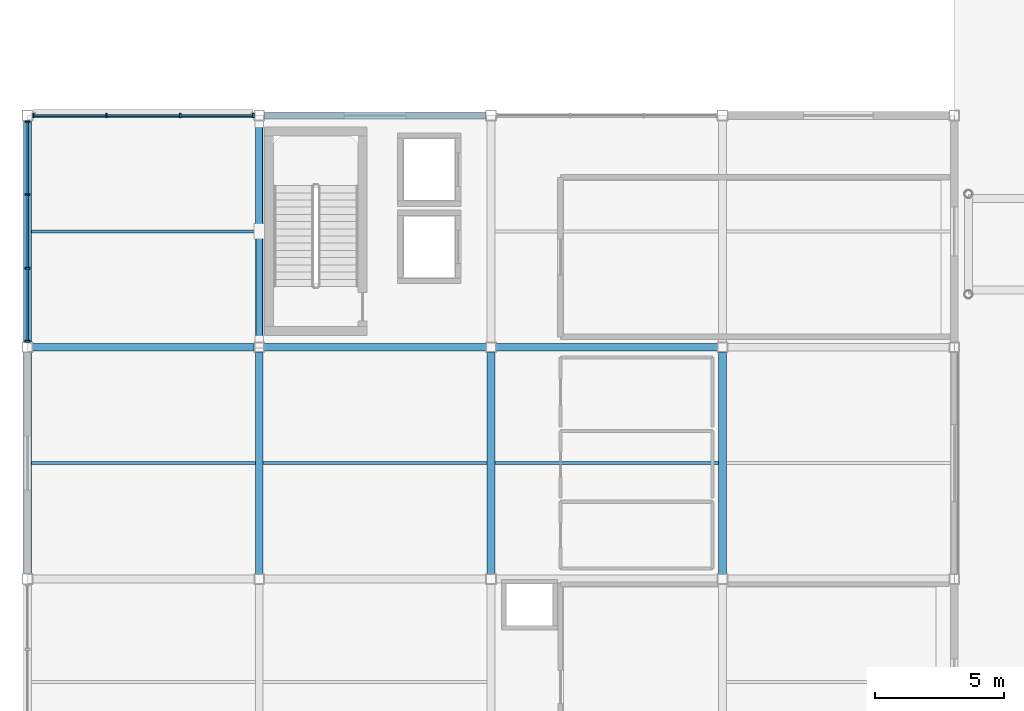
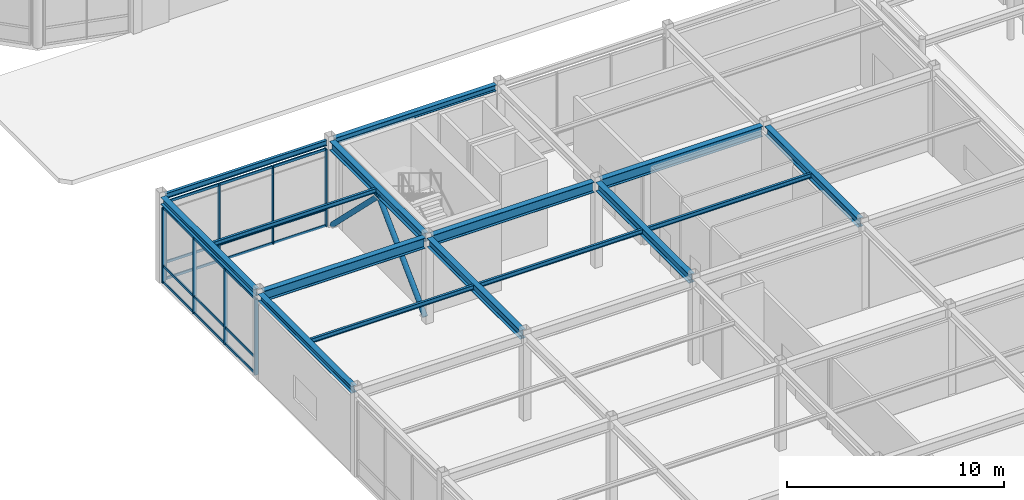
# One storey, part 32 of 123: 28 members, 15 beams, 2 elements without a shape of their own.
"""IFC4 building model written with IfcOpenShell, lengths in metres."""

from ifc_helpers import new_model, si_unit, direction, frame, origin, origin_2d, place, context, subcontext, project, spatial, rectangle, hollow_circle, i_section, extrude, material, material_profile, profile_set, type_object, element, aggregate, save


model = new_model("IFC4")

# Units and contexts
model_context = context("Model", 3, precision=1e-05, world=origin(), true_north=direction((0.0, 1.0)))
body_context = subcontext(model_context, "Body", "Model", "MODEL_VIEW")
ifc_project = project(units=[si_unit("LENGTHUNIT", "METRE"), si_unit("AREAUNIT", "SQUARE_METRE"), si_unit("VOLUMEUNIT", "CUBIC_METRE"), si_unit("PLANEANGLEUNIT", "RADIAN"), si_unit("MASSUNIT", "GRAM", prefix="KILO")], contexts=[model_context])

# Site, building, storey
site_placement = place(None, origin())
site = spatial("IfcSite", under=ifc_project, at=site_placement, CompositionType="ELEMENT")
building_placement = place(site_placement, origin())
building = spatial("IfcBuilding", under=site, at=building_placement, Name="Suzunagisa Mobility Hub", CompositionType="ELEMENT")
storey_placement = place(building_placement, origin())
storey = spatial("IfcBuildingStorey", under=building, at=storey_placement, Name="L00", CompositionType="ELEMENT", Elevation=0.0)

# Curtain wall, members
ifc_material_1 = material(Name="Thermally Broken Anodized Aluminum and Low-E Glazing", Category="aluminium")
curtain_wall_type_1 = type_object("IfcCurtainWallType", Name="Unitised Curtain Wall CW-47 8500x4400", PredefinedType="USERDEFINED", material=ifc_material_1)
curtain_wall_1_placement = place(storey_placement, origin())
curtain_wall_1 = element("IfcCurtainWall", 1, at=curtain_wall_1_placement, inside=storey, type_object=curtain_wall_type_1, Name="L00 Unitised Curtain Wall CW-6", ObjectType="UNITISED CURTAIN WALL", PredefinedType="USERDEFINED")
ifc_material_2 = material(Name="Anodized Aluminum 6063-T6", Category="aluminium")
ifc_material_profile_1 = material_profile(ifc_material_2, rectangle(XDim=0.06494140625, YDim=0.139892578125, at=origin_2d()), Name="TRAN-65x140")
ifc_profile_set_1 = profile_set([ifc_material_profile_1], Name="Anodized Aluminum 6063-T6")
member_type_1 = type_object("IfcMemberType", Name="Curtain Wall Framing CM-01 TRAN-65x140", PredefinedType="USERDEFINED", material=ifc_profile_set_1)
member_1_placement = place(storey_placement, frame((8.737060546875, 62.0, 0.032470703125), z_axis=(-1.0, 0.0, 0.0), x_axis=(0.0, -1.0, 0.0)))
member_1 = element("IfcMember", 2, at=member_1_placement, type_object=member_type_1, Name="Curtain Wall Transom 6-T1.1", ObjectType="TRANSOM", PredefinedType="USERDEFINED", context=body_context, shape_type="SweptSolid", body=[
    extrude(rectangle(XDim=0.06494140625, YDim=0.139892578125, at=origin_2d()), origin(), (0.0, 0.0, 1.0), 2.773193359375),
])
member_2_placement = place(storey_placement, frame((8.737060546875, 62.0, 0.949951171875), z_axis=(-1.0, 0.0, 0.0), x_axis=(0.0, -1.0, 0.0)))
member_2 = element("IfcMember", 3, at=member_2_placement, type_object=member_type_1, Name="Curtain Wall Transom 6-T1.2", ObjectType="TRANSOM", PredefinedType="USERDEFINED", context=body_context, shape_type="SweptSolid", body=[
    extrude(rectangle(XDim=0.06494140625, YDim=0.139892578125, at=origin_2d()), origin(), (0.0, 0.0, 1.0), 2.773193359375),
])
member_3_placement = place(storey_placement, frame((8.737060546875, 62.0, 4.32958984375), z_axis=(-1.0, 0.0, 0.0), x_axis=(0.0, -1.0, 0.0)))
member_3 = element("IfcMember", 4, at=member_3_placement, type_object=member_type_1, Name="Curtain Wall Transom 6-T1.3", ObjectType="TRANSOM", PredefinedType="USERDEFINED", context=body_context, shape_type="SweptSolid", body=[
    extrude(rectangle(XDim=0.06494140625, YDim=0.139892578125, at=origin_2d()), origin(), (0.0, 0.0, 1.0), 2.773193359375),
])
member_4_placement = place(storey_placement, frame((5.90283203125, 62.0, 0.032470703125), z_axis=(-1.0, 0.0, 0.0), x_axis=(0.0, -1.0, 0.0)))
member_4 = element("IfcMember", 5, at=member_4_placement, type_object=member_type_1, Name="Curtain Wall Transom 6-T2.1", ObjectType="TRANSOM", PredefinedType="USERDEFINED", context=body_context, shape_type="SweptSolid", body=[
    extrude(rectangle(XDim=0.06494140625, YDim=0.139892578125, at=origin_2d()), origin(), (0.0, 0.0, 1.0), 2.8056640625),
])
member_5_placement = place(storey_placement, frame((5.90283203125, 62.0, 0.949951171875), z_axis=(-1.0, 0.0, 0.0), x_axis=(0.0, -1.0, 0.0)))
member_5 = element("IfcMember", 6, at=member_5_placement, type_object=member_type_1, Name="Curtain Wall Transom 6-T2.2", ObjectType="TRANSOM", PredefinedType="USERDEFINED", context=body_context, shape_type="SweptSolid", body=[
    extrude(rectangle(XDim=0.06494140625, YDim=0.139892578125, at=origin_2d()), origin(), (0.0, 0.0, 1.0), 2.8056640625),
])
member_6_placement = place(storey_placement, frame((5.90283203125, 62.0, 4.32958984375), z_axis=(-1.0, 0.0, 0.0), x_axis=(0.0, -1.0, 0.0)))
member_6 = element("IfcMember", 7, at=member_6_placement, type_object=member_type_1, Name="Curtain Wall Transom 6-T2.3", ObjectType="TRANSOM", PredefinedType="USERDEFINED", context=body_context, shape_type="SweptSolid", body=[
    extrude(rectangle(XDim=0.06494140625, YDim=0.139892578125, at=origin_2d()), origin(), (0.0, 0.0, 1.0), 2.8056640625),
])
member_7_placement = place(storey_placement, frame((3.0361328125, 62.0, 0.032470703125), z_axis=(-1.0, 0.0, 0.0), x_axis=(0.0, -1.0, 0.0)))
member_7 = element("IfcMember", 8, at=member_7_placement, type_object=member_type_1, Name="Curtain Wall Transom 6-T3.1", ObjectType="TRANSOM", PredefinedType="USERDEFINED", context=body_context, shape_type="SweptSolid", body=[
    extrude(rectangle(XDim=0.06494140625, YDim=0.139892578125, at=origin_2d()), origin(), (0.0, 0.0, 1.0), 2.773193359375),
])
member_8_placement = place(storey_placement, frame((3.0361328125, 62.0, 0.949951171875), z_axis=(-1.0, 0.0, 0.0), x_axis=(0.0, -1.0, 0.0)))
member_8 = element("IfcMember", 9, at=member_8_placement, type_object=member_type_1, Name="Curtain Wall Transom 6-T3.2", ObjectType="TRANSOM", PredefinedType="USERDEFINED", context=body_context, shape_type="SweptSolid", body=[
    extrude(rectangle(XDim=0.06494140625, YDim=0.139892578125, at=origin_2d()), origin(), (0.0, 0.0, 1.0), 2.773193359375),
])
member_9_placement = place(storey_placement, frame((3.0361328125, 62.0, 4.32958984375), z_axis=(-1.0, 0.0, 0.0), x_axis=(0.0, -1.0, 0.0)))
member_9 = element("IfcMember", 10, at=member_9_placement, type_object=member_type_1, Name="Curtain Wall Transom 6-T3.3", ObjectType="TRANSOM", PredefinedType="USERDEFINED", context=body_context, shape_type="SweptSolid", body=[
    extrude(rectangle(XDim=0.06494140625, YDim=0.139892578125, at=origin_2d()), origin(), (0.0, 0.0, 1.0), 2.773193359375),
])

curtain_wall_type_2 = type_object("IfcCurtainWallType", Name="Unitised Curtain Wall CW-21 8500x4300", PredefinedType="USERDEFINED", material=ifc_material_1)
curtain_wall_2_placement = place(storey_placement, origin())
curtain_wall_2 = element("IfcCurtainWall", 11, at=curtain_wall_2_placement, inside=storey, type_object=curtain_wall_type_2, Name="L00 Unitised Curtain Wall CW-7", ObjectType="UNITISED CURTAIN WALL", PredefinedType="USERDEFINED")
member_10_placement = place(storey_placement, frame((0.0, 61.737060546875, 0.032470703125), z_axis=(0.0, -1.0, 0.0), x_axis=(1.0, 0.0, 0.0)))
member_10 = element("IfcMember", 12, at=member_10_placement, type_object=member_type_1, Name="Curtain Wall Transom 7-T1.1", ObjectType="TRANSOM", PredefinedType="USERDEFINED", context=body_context, shape_type="SweptSolid", body=[
    extrude(rectangle(XDim=0.06494140625, YDim=0.139892578125, at=origin_2d()), origin(), (0.0, 0.0, 1.0), 2.773193359375),
])
member_11_placement = place(storey_placement, frame((0.0, 61.737060546875, 0.949951171875), z_axis=(0.0, -1.0, 0.0), x_axis=(1.0, 0.0, 0.0)))
member_11 = element("IfcMember", 13, at=member_11_placement, type_object=member_type_1, Name="Curtain Wall Transom 7-T1.2", ObjectType="TRANSOM", PredefinedType="USERDEFINED", context=body_context, shape_type="SweptSolid", body=[
    extrude(rectangle(XDim=0.06494140625, YDim=0.139892578125, at=origin_2d()), origin(), (0.0, 0.0, 1.0), 2.773193359375),
])
member_12_placement = place(storey_placement, frame((0.0, 61.737060546875, 4.2294921875), z_axis=(0.0, -1.0, 0.0), x_axis=(1.0, 0.0, 0.0)))
member_12 = element("IfcMember", 14, at=member_12_placement, type_object=member_type_1, Name="Curtain Wall Transom 7-T1.3", ObjectType="TRANSOM", PredefinedType="USERDEFINED", context=body_context, shape_type="SweptSolid", body=[
    extrude(rectangle(XDim=0.06494140625, YDim=0.139892578125, at=origin_2d()), origin(), (0.0, 0.0, 1.0), 2.773193359375),
])
member_13_placement = place(storey_placement, frame((0.0, 58.90283203125, 0.032470703125), z_axis=(0.0, -1.0, 0.0), x_axis=(1.0, 0.0, 0.0)))
member_13 = element("IfcMember", 15, at=member_13_placement, type_object=member_type_1, Name="Curtain Wall Transom 7-T2.1", ObjectType="TRANSOM", PredefinedType="USERDEFINED", context=body_context, shape_type="SweptSolid", body=[
    extrude(rectangle(XDim=0.06494140625, YDim=0.139892578125, at=origin_2d()), origin(), (0.0, 0.0, 1.0), 2.8056640625),
])
member_14_placement = place(storey_placement, frame((0.0, 58.90283203125, 0.949951171875), z_axis=(0.0, -1.0, 0.0), x_axis=(1.0, 0.0, 0.0)))
member_14 = element("IfcMember", 16, at=member_14_placement, type_object=member_type_1, Name="Curtain Wall Transom 7-T2.2", ObjectType="TRANSOM", PredefinedType="USERDEFINED", context=body_context, shape_type="SweptSolid", body=[
    extrude(rectangle(XDim=0.06494140625, YDim=0.139892578125, at=origin_2d()), origin(), (0.0, 0.0, 1.0), 2.8056640625),
])
member_15_placement = place(storey_placement, frame((0.0, 58.90283203125, 4.2294921875), z_axis=(0.0, -1.0, 0.0), x_axis=(1.0, 0.0, 0.0)))
member_15 = element("IfcMember", 17, at=member_15_placement, type_object=member_type_1, Name="Curtain Wall Transom 7-T2.3", ObjectType="TRANSOM", PredefinedType="USERDEFINED", context=body_context, shape_type="SweptSolid", body=[
    extrude(rectangle(XDim=0.06494140625, YDim=0.139892578125, at=origin_2d()), origin(), (0.0, 0.0, 1.0), 2.8056640625),
])
member_16_placement = place(storey_placement, frame((0.0, 56.0361328125, 0.032470703125), z_axis=(0.0, -1.0, 0.0), x_axis=(1.0, 0.0, 0.0)))
member_16 = element("IfcMember", 18, at=member_16_placement, type_object=member_type_1, Name="Curtain Wall Transom 7-T3.1", ObjectType="TRANSOM", PredefinedType="USERDEFINED", context=body_context, shape_type="SweptSolid", body=[
    extrude(rectangle(XDim=0.06494140625, YDim=0.139892578125, at=origin_2d()), origin(), (0.0, 0.0, 1.0), 2.773193359375),
])
member_17_placement = place(storey_placement, frame((0.0, 56.0361328125, 0.949951171875), z_axis=(0.0, -1.0, 0.0), x_axis=(1.0, 0.0, 0.0)))
member_17 = element("IfcMember", 19, at=member_17_placement, type_object=member_type_1, Name="Curtain Wall Transom 7-T3.2", ObjectType="TRANSOM", PredefinedType="USERDEFINED", context=body_context, shape_type="SweptSolid", body=[
    extrude(rectangle(XDim=0.06494140625, YDim=0.139892578125, at=origin_2d()), origin(), (0.0, 0.0, 1.0), 2.773193359375),
])
member_18_placement = place(storey_placement, frame((0.0, 56.0361328125, 4.2294921875), z_axis=(0.0, -1.0, 0.0), x_axis=(1.0, 0.0, 0.0)))
member_18 = element("IfcMember", 20, at=member_18_placement, type_object=member_type_1, Name="Curtain Wall Transom 7-T3.3", ObjectType="TRANSOM", PredefinedType="USERDEFINED", context=body_context, shape_type="SweptSolid", body=[
    extrude(rectangle(XDim=0.06494140625, YDim=0.139892578125, at=origin_2d()), origin(), (0.0, 0.0, 1.0), 2.773193359375),
])

# Member
ifc_material_profile_2 = material_profile(ifc_material_2, rectangle(XDim=0.06494140625, YDim=0.179931640625, at=origin_2d()), Name="MULL-65x180")
ifc_profile_set_2 = profile_set([ifc_material_profile_2], Name="Anodized Aluminum 6063-T6")
member_type_2 = type_object("IfcMemberType", Name="Curtain Wall Framing CM-04 MULL-65x180", PredefinedType="MULLION", material=ifc_profile_set_2)
member_19_placement = place(storey_placement, frame((8.767578125, 62.0, 0.0), z_axis=(0.0, 0.0, 1.0), x_axis=(-1.0, 0.0, 0.0)))
member_19 = element("IfcMember", 21, at=member_19_placement, type_object=member_type_2, Name="Curtain Wall Mullion 6-M1", PredefinedType="MULLION", context=body_context, shape_type="SweptSolid", body=[
    extrude(rectangle(XDim=0.06494140625, YDim=0.179931640625, at=origin_2d()), origin(), (0.0, 0.0, 1.0), 4.362060546875),
])

member_20_placement = place(storey_placement, frame((5.933349609375, 62.0, 0.0), z_axis=(0.0, 0.0, 1.0), x_axis=(-1.0, 0.0, 0.0)))
member_20 = element("IfcMember", 22, at=member_20_placement, type_object=member_type_2, Name="Curtain Wall Mullion 6-M2", PredefinedType="MULLION", context=body_context, shape_type="SweptSolid", body=[
    extrude(rectangle(XDim=0.06494140625, YDim=0.179931640625, at=origin_2d()), origin(), (0.0, 0.0, 1.0), 4.362060546875),
])

member_21_placement = place(storey_placement, frame((3.066650390625, 62.0, 0.0), z_axis=(0.0, 0.0, 1.0), x_axis=(-1.0, 0.0, 0.0)))
member_21 = element("IfcMember", 23, at=member_21_placement, type_object=member_type_2, Name="Curtain Wall Mullion 6-M3", PredefinedType="MULLION", context=body_context, shape_type="SweptSolid", body=[
    extrude(rectangle(XDim=0.06494140625, YDim=0.179931640625, at=origin_2d()), origin(), (0.0, 0.0, 1.0), 4.362060546875),
])

member_22_placement = place(storey_placement, frame((0.232421875, 62.0, 0.0), z_axis=(0.0, 0.0, 1.0), x_axis=(-1.0, 0.0, 0.0)))
member_22 = element("IfcMember", 24, at=member_22_placement, type_object=member_type_2, Name="Curtain Wall Mullion 6-M4", PredefinedType="MULLION", context=body_context, shape_type="SweptSolid", body=[
    extrude(rectangle(XDim=0.06494140625, YDim=0.179931640625, at=origin_2d()), origin(), (0.0, 0.0, 1.0), 4.362060546875),
])

aggregate(curtain_wall_1, [member_19, member_20, member_21, member_22, member_1, member_2, member_3, member_4, member_5, member_6, member_7, member_8, member_9])

member_23_placement = place(storey_placement, frame((0.0, 61.767578125, 0.0), z_axis=(0.0, 0.0, 1.0), x_axis=(0.0, -1.0, 0.0)))
member_23 = element("IfcMember", 25, at=member_23_placement, type_object=member_type_2, Name="Curtain Wall Mullion 7-M1", PredefinedType="MULLION", context=body_context, shape_type="SweptSolid", body=[
    extrude(rectangle(XDim=0.06494140625, YDim=0.179931640625, at=origin_2d()), origin(), (0.0, 0.0, 1.0), 4.261962890625),
])

member_24_placement = place(storey_placement, frame((0.0, 58.933349609375, 0.0), z_axis=(0.0, 0.0, 1.0), x_axis=(0.0, -1.0, 0.0)))
member_24 = element("IfcMember", 26, at=member_24_placement, type_object=member_type_2, Name="Curtain Wall Mullion 7-M2", PredefinedType="MULLION", context=body_context, shape_type="SweptSolid", body=[
    extrude(rectangle(XDim=0.06494140625, YDim=0.179931640625, at=origin_2d()), origin(), (0.0, 0.0, 1.0), 4.261962890625),
])

member_25_placement = place(storey_placement, frame((0.0, 56.066650390625, 0.0), z_axis=(0.0, 0.0, 1.0), x_axis=(0.0, -1.0, 0.0)))
member_25 = element("IfcMember", 27, at=member_25_placement, type_object=member_type_2, Name="Curtain Wall Mullion 7-M3", PredefinedType="MULLION", context=body_context, shape_type="SweptSolid", body=[
    extrude(rectangle(XDim=0.06494140625, YDim=0.179931640625, at=origin_2d()), origin(), (0.0, 0.0, 1.0), 4.261962890625),
])

member_26_placement = place(storey_placement, frame((0.0, 53.232421875, 0.0), z_axis=(0.0, 0.0, 1.0), x_axis=(0.0, -1.0, 0.0)))
member_26 = element("IfcMember", 28, at=member_26_placement, type_object=member_type_2, Name="Curtain Wall Mullion 7-M4", PredefinedType="MULLION", context=body_context, shape_type="SweptSolid", body=[
    extrude(rectangle(XDim=0.06494140625, YDim=0.179931640625, at=origin_2d()), origin(), (0.0, 0.0, 1.0), 4.261962890625),
])

aggregate(curtain_wall_2, [member_23, member_24, member_25, member_26, member_10, member_11, member_12, member_13, member_14, member_15, member_16, member_17, member_18])

# Members
ifc_material_3 = material(Name="Steel SN490B", Category="steel")
ifc_material_profile_3 = material_profile(ifc_material_3, hollow_circle(Radius=0.1337890625, WallThickness=0.00927734375, at=origin_2d()), Name="CHS-267.4x9.3")
ifc_profile_set_3 = profile_set([ifc_material_profile_3], Name="Steel SN490B")
member_type_3 = type_object("IfcMemberType", Name="Roof Truss and Brace Member MB-06 CHS-267.4x9.3", PredefinedType="BRACE", material=ifc_profile_set_3)
for number, where, z_axis, x_axis, name in (
    (29, (9.0, 53.219970703125, 0.1201171875), (0.0, 0.711435677647, 0.702751219544), (-1.0, 0.0, 0.0), "L00 Concentric Lateral Brace BR-3"),
    (30, (9.0, 61.780029296875, 0.1201171875), (0.0, -0.711435677647, 0.702751219544), (1.0, 0.0, 0.0), "L00 Concentric Lateral Brace BR-4"),
):
    element("IfcMember", number, at=place(storey_placement, frame(where, z_axis=z_axis, x_axis=x_axis)), inside=storey, type_object=member_type_3, Name=name, PredefinedType="BRACE", context=body_context, shape_type="SweptSolid", body=[
        extrude(hollow_circle(Radius=0.1337890625, WallThickness=0.00927734375, at=origin_2d()), origin(), (0.0, 0.0, 1.0), 6.01611328125),
    ])

# Beams
ifc_material_profile_4 = material_profile(ifc_material_3, i_section(OverallWidth=0.300048828125, OverallDepth=0.488037109375, WebThickness=0.010986328125, FlangeThickness=0.01806640625, FilletRadius=0.012939453125, at=origin_2d()), Name="H-488x300x11x18")
ifc_profile_set_4 = profile_set([ifc_material_profile_4], Name="Steel SN490B")
beam_type_1 = type_object("IfcBeamType", Name="Steel Beam BM-06 H-488x300x11x18", PredefinedType="BEAM", material=ifc_profile_set_4)
for number, where, z_axis, x_axis, name in (
    (31, (9.0, 44.196044921875, 4.60595703125), (0.0, 1.0, 0.0), (-1.0, 0.0, 0.0), "L00 Primary Girder GY-133"),
    (32, (9.0, 53.196044921875, 4.60595703125), (0.0, 1.0, 0.0), (-1.0, 0.0, 0.0), "L00 Primary Girder GY-134"),
    (33, (18.0, 44.196044921875, 4.60595703125), (0.0, 1.0, 0.0), (-1.0, 0.0, 0.0), "L00 Primary Girder GY-140"),
    (34, (27.0, 44.196044921875, 4.60595703125), (0.0, 1.0, 0.0), (-1.0, 0.0, 0.0), "L00 Primary Girder GY-147"),
):
    element("IfcBeam", number, at=place(storey_placement, frame(where, z_axis=z_axis, x_axis=x_axis)), inside=storey, type_object=beam_type_1, Name=name, PredefinedType="BEAM", context=body_context, shape_type="SweptSolid", body=[
        extrude(i_section(OverallWidth=0.300048828125, OverallDepth=0.488037109375, WebThickness=0.010986328125, FlangeThickness=0.01806640625, FilletRadius=0.012939453125, at=origin_2d()), origin(), (0.0, 0.0, 1.0), 8.60791015625),
    ])
ifc_material_4 = material(Name="Steel SN400B", Category="steel")
ifc_material_profile_5 = material_profile(ifc_material_4, i_section(OverallWidth=0.14990234375, OverallDepth=0.300048828125, WebThickness=0.006591796875, FlangeThickness=0.009033203125, FilletRadius=0.008056640625, at=origin_2d()), Name="H-300x150x6.5x9")
ifc_profile_set_5 = profile_set([ifc_material_profile_5], Name="Steel SN400B")
beam_type_2 = type_object("IfcBeamType", Name="Steel Beam BM-08 H-300x150x6.5x9", PredefinedType="LINTEL", material=ifc_profile_set_5)
beam_1_placement = place(storey_placement, frame((0.196044921875, 62.0, 4.699951171875), z_axis=(1.0, 0.0, 0.0), x_axis=(0.0, 1.0, 0.0)))
element("IfcBeam", 35, at=beam_1_placement, inside=storey, type_object=beam_type_2, Name="L00 Primary Girder GX-118", PredefinedType="LINTEL", context=body_context, shape_type="SweptSolid", body=[
    extrude(i_section(OverallWidth=0.14990234375, OverallDepth=0.300048828125, WebThickness=0.006591796875, FlangeThickness=0.009033203125, FilletRadius=0.008056640625, at=origin_2d()), origin(), (0.0, 0.0, 1.0), 8.60791015625),
])
ifc_material_profile_6 = material_profile(ifc_material_3, i_section(OverallWidth=0.300048828125, OverallDepth=0.389892578125, WebThickness=0.010009765625, FlangeThickness=0.01611328125, FilletRadius=0.012939453125, at=origin_2d()), Name="H-390x300x10x16")
ifc_profile_set_6 = profile_set([ifc_material_profile_6], Name="Steel SN490B")
beam_type_3 = type_object("IfcBeamType", Name="Steel Beam BM-13 H-390x300x10x16", PredefinedType="SPANDREL", material=ifc_profile_set_6)
for number, where, z_axis, x_axis, name in (
    (36, (0.0, 44.196044921875, 4.655029296875), (0.0, 1.0, 0.0), (-1.0, 0.0, 0.0), "L00 Primary Girder GY-126"),
    (37, (0.0, 53.196044921875, 4.655029296875), (0.0, 1.0, 0.0), (-1.0, 0.0, 0.0), "L00 Primary Girder GY-127"),
):
    element("IfcBeam", number, at=place(storey_placement, frame(where, z_axis=z_axis, x_axis=x_axis)), inside=storey, type_object=beam_type_3, Name=name, PredefinedType="SPANDREL", context=body_context, shape_type="SweptSolid", body=[
        extrude(i_section(OverallWidth=0.300048828125, OverallDepth=0.389892578125, WebThickness=0.010009765625, FlangeThickness=0.01611328125, FilletRadius=0.012939453125, at=origin_2d()), origin(), (0.0, 0.0, 1.0), 8.60791015625),
    ])
ifc_material_profile_7 = material_profile(ifc_material_3, i_section(OverallWidth=0.300048828125, OverallDepth=0.587890625, WebThickness=0.011962890625, FlangeThickness=0.02001953125, FilletRadius=0.012939453125, at=origin_2d()), Name="H-588x300x12x20")
ifc_profile_set_7 = profile_set([ifc_material_profile_7], Name="Steel SN490B")
beam_type_4 = type_object("IfcBeamType", Name="Steel Beam BM-16 H-588x300x12x20", PredefinedType="BEAM", material=ifc_profile_set_7)
for number, where, z_axis, x_axis, name in (
    (38, (0.196044921875, 53.0, 4.555908203125), (1.0, 0.0, 0.0), (0.0, 1.0, 0.0), "L00 Primary Girder GX-114"),
    (39, (9.196044921875, 53.0, 4.555908203125), (1.0, 0.0, 0.0), (0.0, 1.0, 0.0), "L00 Primary Girder GX-115"),
    (40, (18.196044921875, 53.0, 4.555908203125), (1.0, 0.0, 0.0), (0.0, 1.0, 0.0), "L00 Primary Girder GX-116"),
):
    element("IfcBeam", number, at=place(storey_placement, frame(where, z_axis=z_axis, x_axis=x_axis)), inside=storey, type_object=beam_type_4, Name=name, PredefinedType="BEAM", context=body_context, shape_type="SweptSolid", body=[
        extrude(i_section(OverallWidth=0.300048828125, OverallDepth=0.587890625, WebThickness=0.011962890625, FlangeThickness=0.02001953125, FilletRadius=0.012939453125, at=origin_2d()), origin(), (0.0, 0.0, 1.0), 8.60791015625),
    ])
ifc_material_profile_8 = material_profile(ifc_material_4, i_section(OverallWidth=0.125, OverallDepth=0.25, WebThickness=0.006103515625, FlangeThickness=0.009033203125, FilletRadius=0.008056640625, at=origin_2d()), Name="H-250x125x6x9")
ifc_profile_set_8 = profile_set([ifc_material_profile_8], Name="Steel SN400B")
beam_type_5 = type_object("IfcBeamType", Name="Steel Beam BM-21 H-250x125x6x9", PredefinedType="JOIST", material=ifc_profile_set_8)
for number, where, z_axis, x_axis, name in (
    (41, (0.14990234375, 48.5, 4.72509765625), (1.0, 0.0, 0.0), (0.0, 1.0, 0.0), "L00 Composite Floor Joist J-161"),
    (42, (0.14990234375, 57.5, 4.72509765625), (1.0, 0.0, 0.0), (0.0, 1.0, 0.0), "L00 Composite Floor Joist J-162"),
    (43, (9.14990234375, 48.5, 4.72509765625), (1.0, 0.0, 0.0), (0.0, 1.0, 0.0), "L00 Composite Floor Joist J-167"),
    (44, (18.14990234375, 48.5, 4.72509765625), (1.0, 0.0, 0.0), (0.0, 1.0, 0.0), "L00 Composite Floor Joist J-172"),
):
    element("IfcBeam", number, at=place(storey_placement, frame(where, z_axis=z_axis, x_axis=x_axis)), inside=storey, type_object=beam_type_5, Name=name, PredefinedType="JOIST", context=body_context, shape_type="SweptSolid", body=[
        extrude(i_section(OverallWidth=0.125, OverallDepth=0.25, WebThickness=0.006103515625, FlangeThickness=0.009033203125, FilletRadius=0.008056640625, at=origin_2d()), origin(), (0.0, 0.0, 1.0), 8.7001953125),
    ])
ifc_material_profile_9 = material_profile(ifc_material_4, i_section(OverallWidth=0.25, OverallDepth=0.340087890625, WebThickness=0.009033203125, FlangeThickness=0.013916015625, FilletRadius=0.010009765625, at=origin_2d()), Name="H-340x250x9x14")
ifc_profile_set_9 = profile_set([ifc_material_profile_9], Name="Steel SN400B")
beam_type_6 = type_object("IfcBeamType", Name="Steel Beam BM-23 H-340x250x9x14", PredefinedType="LINTEL", material=ifc_profile_set_9)
beam_2_placement = place(storey_placement, frame((9.196044921875, 62.0, 4.679931640625), z_axis=(1.0, 0.0, 0.0), x_axis=(0.0, 1.0, 0.0)))
element("IfcBeam", 45, at=beam_2_placement, inside=storey, type_object=beam_type_6, Name="L00 Primary Girder GX-119", PredefinedType="LINTEL", context=body_context, shape_type="SweptSolid", body=[
    extrude(i_section(OverallWidth=0.25, OverallDepth=0.340087890625, WebThickness=0.009033203125, FlangeThickness=0.013916015625, FilletRadius=0.010009765625, at=origin_2d()), origin(), (0.0, 0.0, 1.0), 8.60791015625),
])

save(model, "model.ifc")
